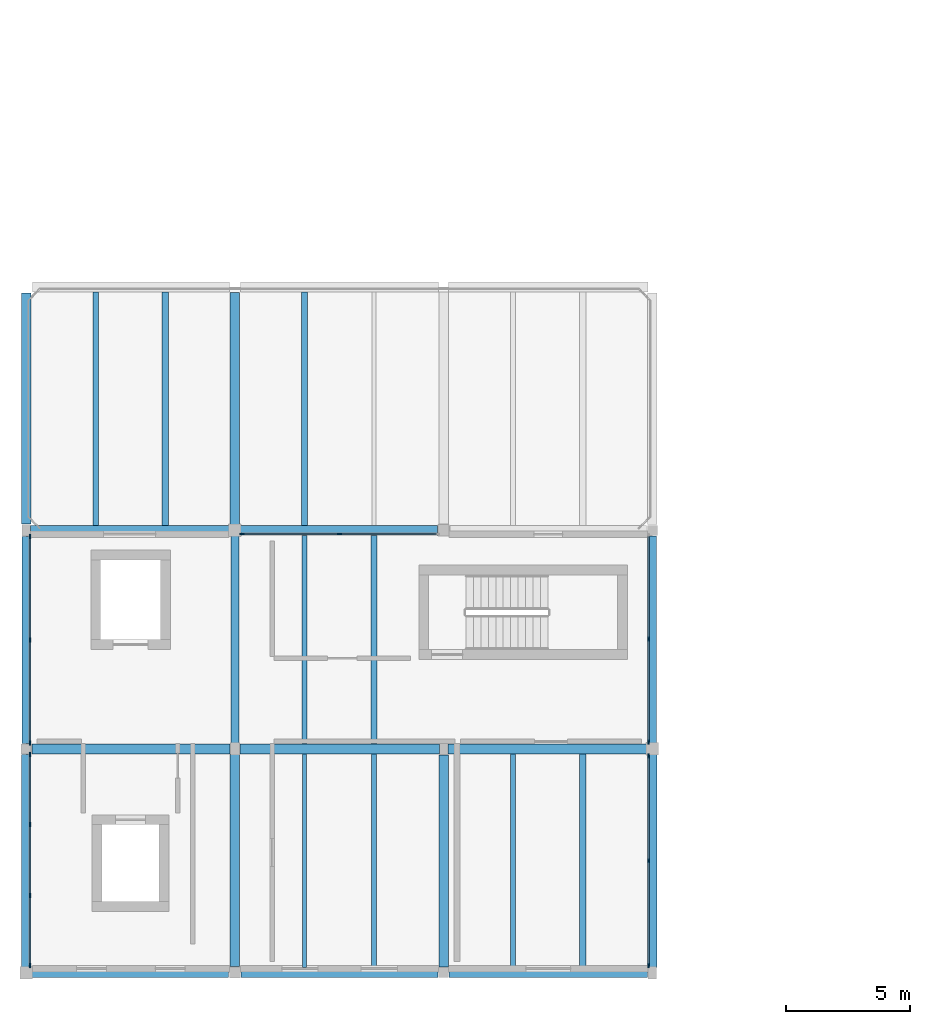
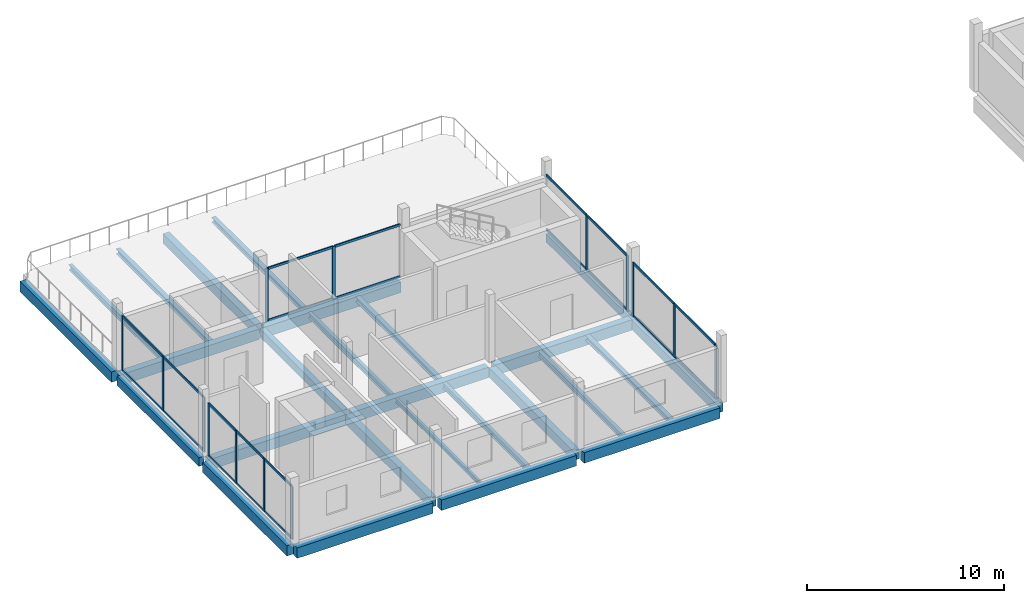
# One storey, part 3 of 23: 36 members, 26 beams, 5 elements without a shape of their own.
"""IFC4 building model written with IfcOpenShell, lengths in metres."""

from ifc_helpers import new_model, si_unit, direction, frame, origin, origin_2d, place, context, subcontext, project, spatial, rectangle, i_section, extrude, material, layer, layer_set, material_profile, profile_set, type_object, element, aggregate, save


model = new_model("IFC4")

# Units and contexts
model_context = context("Model", 3, precision=1e-05, world=origin(), true_north=direction((0.0, 1.0)))
body_context = subcontext(model_context, "Body", "Model", "MODEL_VIEW")
ifc_project = project(units=[si_unit("LENGTHUNIT", "METRE"), si_unit("AREAUNIT", "SQUARE_METRE"), si_unit("VOLUMEUNIT", "CUBIC_METRE"), si_unit("PLANEANGLEUNIT", "RADIAN"), si_unit("MASSUNIT", "GRAM", prefix="KILO")], contexts=[model_context])

# Site, building, storey
site_placement = place(None, origin())
site = spatial("IfcSite", under=ifc_project, at=site_placement, CompositionType="ELEMENT")
building_placement = place(site_placement, origin())
building = spatial("IfcBuilding", under=site, at=building_placement, Name="Birchvale Park Specialist Clinic", CompositionType="ELEMENT")
storey_placement = place(building_placement, frame((0.0, 0.0, 18.0)))
storey = spatial("IfcBuildingStorey", under=building, at=storey_placement, Name="L04", CompositionType="ELEMENT", Elevation=18.0)

# Beams
ifc_material_1 = material(Name="Concrete C40/50", Category="concrete")
ifc_material_profile_1 = material_profile(ifc_material_1, rectangle(XDim=0.3798828125, YDim=0.639892578125, at=origin_2d()), Name="RCB-380x640")
ifc_profile_set_1 = profile_set([ifc_material_profile_1], Name="Concrete C40/50")
beam_type_1 = type_object("IfcBeamType", Name="BM-EXT-BG5", PredefinedType="BEAM", material=ifc_profile_set_1)
beam_1_placement = place(storey_placement, frame((11.199951171875, 17.02490234375, -0.60009765625), z_axis=(0.0, 1.0, 0.0), x_axis=(-1.0, 0.0, 0.0)))
element("IfcBeam", 1, at=beam_1_placement, inside=storey, type_object=beam_type_1, Name="V2 L04 Y girder 13", PredefinedType="BEAM", context=body_context, shape_type="SweptSolid", body=[
    extrude(rectangle(XDim=0.3798828125, YDim=0.639892578125, at=origin_2d()), origin(), (0.0, 0.0, 1.0), 8.550048828125),
])
beam_2_placement = place(storey_placement, frame((11.199951171875, 34.85009765625, -0.6298828125), z_axis=(0.0, 1.0, 0.0), x_axis=(-1.0, 0.0, 0.0)))
element("IfcBeam", 2, at=beam_2_placement, inside=storey, type_object=beam_type_1, Name="V2 L04 Y girder 15", PredefinedType="BEAM", context=body_context, shape_type="SweptSolid", body=[
    extrude(rectangle(XDim=0.3798828125, YDim=0.639892578125, at=origin_2d()), origin(), (0.0, 0.0, 1.0), 9.2998046875),
])
ifc_material_profile_2 = material_profile(ifc_material_1, rectangle(XDim=0.320068359375, YDim=0.5400390625, at=origin_2d()), Name="RCB-320x540")
ifc_profile_set_2 = profile_set([ifc_material_profile_2], Name="Concrete C40/50")
beam_type_2 = type_object("IfcBeamType", Name="BM-EXT-BG7", PredefinedType="BEAM", material=ifc_profile_set_2)
beam_3_placement = place(storey_placement, frame((11.199951171875, 26.02490234375, -0.550048828125), z_axis=(0.0, 1.0, 0.0), x_axis=(-1.0, 0.0, 0.0)))
element("IfcBeam", 3, at=beam_3_placement, inside=storey, type_object=beam_type_2, Name="V2 L04 Y girder 14", PredefinedType="BEAM", context=body_context, shape_type="SweptSolid", body=[
    extrude(rectangle(XDim=0.320068359375, YDim=0.5400390625, at=origin_2d()), origin(), (0.0, 0.0, 1.0), 8.3251953125),
])
ifc_material_profile_3 = material_profile(ifc_material_1, rectangle(XDim=0.39990234375, YDim=0.64990234375, at=origin_2d()), Name="RCB-400x650")
ifc_profile_set_3 = profile_set([ifc_material_profile_3], Name="Concrete C40/50")
beam_type_3 = type_object("IfcBeamType", Name="BM-INT-BG4", PredefinedType="BEAM", material=ifc_profile_set_3)
beam_4_placement = place(storey_placement, frame((11.375, 16.800048828125, -0.60498046875), z_axis=(1.0, 0.0, 0.0), x_axis=(0.0, 1.0, 0.0)))
element("IfcBeam", 4, at=beam_4_placement, inside=storey, type_object=beam_type_3, Name="V2 L04 X girder 1", PredefinedType="BEAM", context=body_context, shape_type="SweptSolid", body=[
    extrude(rectangle(XDim=0.39990234375, YDim=0.64990234375, at=origin_2d()), origin(), (0.0, 0.0, 1.0), 7.97509765625),
])
beam_5_placement = place(storey_placement, frame((19.85009765625, 16.800048828125, -0.60498046875), z_axis=(1.0, 0.0, 0.0), x_axis=(0.0, 1.0, 0.0)))
element("IfcBeam", 5, at=beam_5_placement, inside=storey, type_object=beam_type_3, Name="V2 L04 X girder 2", PredefinedType="BEAM", context=body_context, shape_type="SweptSolid", body=[
    extrude(rectangle(XDim=0.39990234375, YDim=0.64990234375, at=origin_2d()), origin(), (0.0, 0.0, 1.0), 7.9248046875),
])
for number, where, z_axis, x_axis, name in (
    (6, (28.22509765625, 16.800048828125, -0.60498046875), (1.0, 0.0, 0.0), (0.0, 1.0, 0.0), "V2 L04 X girder 3"),
    (7, (11.425048828125, 25.800048828125, -0.60498046875), (1.0, 0.0, 0.0), (0.0, 1.0, 0.0), "V2 L04 X girder 4"),
):
    element("IfcBeam", number, at=place(storey_placement, frame(where, z_axis=z_axis, x_axis=x_axis)), inside=storey, type_object=beam_type_3, Name=name, PredefinedType="BEAM", context=body_context, shape_type="SweptSolid", body=[
        extrude(rectangle(XDim=0.39990234375, YDim=0.64990234375, at=origin_2d()), origin(), (0.0, 0.0, 1.0), 7.974853515625),
    ])
beam_6_placement = place(storey_placement, frame((19.800048828125, 25.800048828125, -0.60498046875), z_axis=(1.0, 0.0, 0.0), x_axis=(0.0, 1.0, 0.0)))
element("IfcBeam", 8, at=beam_6_placement, inside=storey, type_object=beam_type_3, Name="V2 L04 X girder 5", PredefinedType="BEAM", context=body_context, shape_type="SweptSolid", body=[
    extrude(rectangle(XDim=0.39990234375, YDim=0.64990234375, at=origin_2d()), origin(), (0.0, 0.0, 1.0), 8.02490234375),
])
for number, where, z_axis, x_axis, name in (
    (9, (28.175048828125, 25.800048828125, -0.60498046875), (1.0, 0.0, 0.0), (0.0, 1.0, 0.0), "V2 L04 X girder 6"),
    (10, (11.375, 34.60009765625, -0.635009765625), (1.0, 0.0, 0.0), (0.0, 1.0, 0.0), "V2 L04 X girder 7"),
):
    element("IfcBeam", number, at=place(storey_placement, frame(where, z_axis=z_axis, x_axis=x_axis)), inside=storey, type_object=beam_type_3, Name=name, PredefinedType="BEAM", context=body_context, shape_type="SweptSolid", body=[
        extrude(rectangle(XDim=0.39990234375, YDim=0.64990234375, at=origin_2d()), origin(), (0.0, 0.0, 1.0), 8.050048828125),
    ])
beam_7_placement = place(storey_placement, frame((19.77490234375, 34.60009765625, -0.635009765625), z_axis=(1.0, 0.0, 0.0), x_axis=(0.0, 1.0, 0.0)))
element("IfcBeam", 11, at=beam_7_placement, inside=storey, type_object=beam_type_3, Name="V2 L04 X girder 8", PredefinedType="BEAM", context=body_context, shape_type="SweptSolid", body=[
    extrude(rectangle(XDim=0.39990234375, YDim=0.64990234375, at=origin_2d()), origin(), (0.0, 0.0, 1.0), 7.97509765625),
])
ifc_material_profile_4 = material_profile(ifc_material_1, rectangle(XDim=0.3798828125, YDim=0.60009765625, at=origin_2d()), Name="RCB-380x600")
ifc_profile_set_4 = profile_set([ifc_material_profile_4], Name="Concrete C40/50")
beam_type_4 = type_object("IfcBeamType", Name="BM-INT-BG5", PredefinedType="BEAM", material=ifc_profile_set_4)
beam_8_placement = place(storey_placement, frame((19.60009765625, 17.050048828125, -0.580078125), z_axis=(0.0, 1.0, 0.0), x_axis=(-1.0, 0.0, 0.0)))
element("IfcBeam", 12, at=beam_8_placement, inside=storey, type_object=beam_type_4, Name="V2 L04 Y girder 16", PredefinedType="BEAM", context=body_context, shape_type="SweptSolid", body=[
    extrude(rectangle(XDim=0.3798828125, YDim=0.60009765625, at=origin_2d()), origin(), (0.0, 0.0, 1.0), 8.550048828125),
])
beam_9_placement = place(storey_placement, frame((19.60009765625, 34.824951171875, -0.610107421875), z_axis=(0.0, 1.0, 0.0), x_axis=(-1.0, 0.0, 0.0)))
element("IfcBeam", 13, at=beam_9_placement, inside=storey, type_object=beam_type_4, Name="V2 L04 Y girder 18", PredefinedType="BEAM", context=body_context, shape_type="SweptSolid", body=[
    extrude(rectangle(XDim=0.3798828125, YDim=0.60009765625, at=origin_2d()), origin(), (0.0, 0.0, 1.0), 9.35009765625),
])
beam_10_placement = place(storey_placement, frame((28.0, 17.02490234375, -0.580078125), z_axis=(0.0, 1.0, 0.0), x_axis=(-1.0, 0.0, 0.0)))
element("IfcBeam", 14, at=beam_10_placement, inside=storey, type_object=beam_type_4, Name="V2 L04 Y girder 19", PredefinedType="BEAM", context=body_context, shape_type="SweptSolid", body=[
    extrude(rectangle(XDim=0.3798828125, YDim=0.60009765625, at=origin_2d()), origin(), (0.0, 0.0, 1.0), 8.525146484375),
])
beam_11_placement = place(storey_placement, frame((36.39990234375, 17.0, -0.580078125), z_axis=(0.0, 1.0, 0.0), x_axis=(-1.0, 0.0, 0.0)))
element("IfcBeam", 15, at=beam_11_placement, inside=storey, type_object=beam_type_4, Name="V2 L04 Y girder 21", PredefinedType="BEAM", context=body_context, shape_type="SweptSolid", body=[
    extrude(rectangle(XDim=0.3798828125, YDim=0.60009765625, at=origin_2d()), origin(), (0.0, 0.0, 1.0), 8.574951171875),
])
ifc_material_profile_5 = material_profile(ifc_material_1, rectangle(XDim=0.320068359375, YDim=0.5, at=origin_2d()), Name="RCB-320x500")
ifc_profile_set_5 = profile_set([ifc_material_profile_5], Name="Concrete C40/50")
beam_type_5 = type_object("IfcBeamType", Name="BM-INT-BG7", PredefinedType="BEAM", material=ifc_profile_set_5)
beam_12_placement = place(storey_placement, frame((19.60009765625, 26.0, -0.530029296875), z_axis=(0.0, 1.0, 0.0), x_axis=(-1.0, 0.0, 0.0)))
element("IfcBeam", 16, at=beam_12_placement, inside=storey, type_object=beam_type_5, Name="V2 L04 Y girder 17", PredefinedType="BEAM", context=body_context, shape_type="SweptSolid", body=[
    extrude(rectangle(XDim=0.320068359375, YDim=0.5, at=origin_2d()), origin(), (0.0, 0.0, 1.0), 8.375),
])
beam_13_placement = place(storey_placement, frame((36.39990234375, 26.02490234375, -0.530029296875), z_axis=(0.0, 1.0, 0.0), x_axis=(-1.0, 0.0, 0.0)))
element("IfcBeam", 17, at=beam_13_placement, inside=storey, type_object=beam_type_5, Name="V2 L04 Y girder 22", PredefinedType="BEAM", context=body_context, shape_type="SweptSolid", body=[
    extrude(rectangle(XDim=0.320068359375, YDim=0.5, at=origin_2d()), origin(), (0.0, 0.0, 1.0), 8.35009765625),
])

# Curtain wall, members
ifc_material_2 = material(Name="Thermally broken anodised aluminium", Category="aluminium")
ifc_layer = layer(ifc_material_2, 0.195068359375)
ifc_layer_set = layer_set([ifc_layer], Name="Thermally broken anodised aluminium")
curtain_wall_type = type_object("IfcCurtainWallType", Name="CW-U2", PredefinedType="USERDEFINED", material=ifc_layer_set)
curtain_wall_1_placement = place(storey_placement, origin())
curtain_wall_1 = element("IfcCurtainWall", 18, at=curtain_wall_1_placement, inside=storey, type_object=curtain_wall_type, Name="V2 L04 glazed curtain wall 134", ObjectType="UNITISED", PredefinedType="USERDEFINED")
ifc_material_profile_6 = material_profile(ifc_material_2, rectangle(XDim=0.06494140625, YDim=0.179931640625, at=origin_2d()), Name="CWM-65x180")
ifc_profile_set_6 = profile_set([ifc_material_profile_6], Name="Thermally broken anodised aluminium")
member_type_1 = type_object("IfcMemberType", Name="CWM2", PredefinedType="MULLION", material=ifc_profile_set_6)
member_1_placement = place(storey_placement, frame((36.2451171875, 17.08251953125, 0.0), z_axis=(0.0, 0.0, 1.0), x_axis=(-1.0, 0.0, 0.0)))
member_1 = element("IfcMember", 19, at=member_1_placement, type_object=member_type_1, Name="CW mullion 1", PredefinedType="MULLION", context=body_context, shape_type="SweptSolid", body=[
    extrude(rectangle(XDim=0.06494140625, YDim=0.179931640625, at=origin_2d()), origin(), (0.0, 0.0, 1.0), 3.324951171875),
])
member_2_placement = place(storey_placement, frame((36.2451171875, 21.300048828125, 0.0), z_axis=(0.0, 0.0, 1.0), x_axis=(-1.0, 0.0, 0.0)))
member_2 = element("IfcMember", 20, at=member_2_placement, type_object=member_type_1, Name="CW mullion 2", PredefinedType="MULLION", context=body_context, shape_type="SweptSolid", body=[
    extrude(rectangle(XDim=0.06494140625, YDim=0.179931640625, at=origin_2d()), origin(), (0.0, 0.0, 1.0), 3.324951171875),
])
member_3_placement = place(storey_placement, frame((36.2451171875, 25.517578125, 0.0), z_axis=(0.0, 0.0, 1.0), x_axis=(-1.0, 0.0, 0.0)))
member_3 = element("IfcMember", 21, at=member_3_placement, type_object=member_type_1, Name="CW mullion 3", PredefinedType="MULLION", context=body_context, shape_type="SweptSolid", body=[
    extrude(rectangle(XDim=0.06494140625, YDim=0.179931640625, at=origin_2d()), origin(), (0.0, 0.0, 1.0), 3.324951171875),
])

curtain_wall_2_placement = place(storey_placement, origin())
curtain_wall_2 = element("IfcCurtainWall", 22, at=curtain_wall_2_placement, inside=storey, type_object=curtain_wall_type, Name="V2 L04 glazed curtain wall 135", ObjectType="UNITISED", PredefinedType="USERDEFINED")
member_4_placement = place(storey_placement, frame((36.2451171875, 26.08251953125, 0.0), z_axis=(0.0, 0.0, 1.0), x_axis=(-1.0, 0.0, 0.0)))
member_4 = element("IfcMember", 23, at=member_4_placement, type_object=member_type_1, Name="CW mullion 1", PredefinedType="MULLION", context=body_context, shape_type="SweptSolid", body=[
    extrude(rectangle(XDim=0.06494140625, YDim=0.179931640625, at=origin_2d()), origin(), (0.0, 0.0, 1.0), 3.425048828125),
])
member_5_placement = place(storey_placement, frame((36.2451171875, 30.22509765625, 0.0), z_axis=(0.0, 0.0, 1.0), x_axis=(-1.0, 0.0, 0.0)))
member_5 = element("IfcMember", 24, at=member_5_placement, type_object=member_type_1, Name="CW mullion 2", PredefinedType="MULLION", context=body_context, shape_type="SweptSolid", body=[
    extrude(rectangle(XDim=0.06494140625, YDim=0.179931640625, at=origin_2d()), origin(), (0.0, 0.0, 1.0), 3.425048828125),
])

curtain_wall_3_placement = place(storey_placement, origin())
curtain_wall_3 = element("IfcCurtainWall", 25, at=curtain_wall_3_placement, inside=storey, type_object=curtain_wall_type, Name="V2 L04 glazed curtain wall 136", ObjectType="UNITISED", PredefinedType="USERDEFINED")
member_6_placement = place(storey_placement, frame((23.8125, 34.445068359375, 0.0), z_axis=(0.0, 0.0, 1.0), x_axis=(0.0, -1.0, 0.0)))
member_6 = element("IfcMember", 26, at=member_6_placement, type_object=member_type_1, Name="CW mullion 2", PredefinedType="MULLION", context=body_context, shape_type="SweptSolid", body=[
    extrude(rectangle(XDim=0.06494140625, YDim=0.179931640625, at=origin_2d()), origin(), (0.0, 0.0, 1.0), 3.27490234375),
])
member_7_placement = place(storey_placement, frame((19.882568359375, 34.445068359375, 0.0), z_axis=(0.0, 0.0, 1.0), x_axis=(0.0, -1.0, 0.0)))
member_7 = element("IfcMember", 27, at=member_7_placement, type_object=member_type_1, Name="CW mullion 3", PredefinedType="MULLION", context=body_context, shape_type="SweptSolid", body=[
    extrude(rectangle(XDim=0.06494140625, YDim=0.179931640625, at=origin_2d()), origin(), (0.0, 0.0, 1.0), 3.27490234375),
])

curtain_wall_4_placement = place(storey_placement, origin())
curtain_wall_4 = element("IfcCurtainWall", 28, at=curtain_wall_4_placement, inside=storey, type_object=curtain_wall_type, Name="V2 L04 glazed curtain wall 137", ObjectType="UNITISED", PredefinedType="USERDEFINED")
member_8_placement = place(storey_placement, frame((11.35498046875, 34.342529296875, 0.0), z_axis=(0.0, 0.0, 1.0), x_axis=(1.0, 0.0, 0.0)))
member_8 = element("IfcMember", 29, at=member_8_placement, type_object=member_type_1, Name="CW mullion 1", PredefinedType="MULLION", context=body_context, shape_type="SweptSolid", body=[
    extrude(rectangle(XDim=0.06494140625, YDim=0.179931640625, at=origin_2d()), origin(), (0.0, 0.0, 1.0), 3.385009765625),
])
member_9_placement = place(storey_placement, frame((11.35498046875, 30.1875, 0.0), z_axis=(0.0, 0.0, 1.0), x_axis=(1.0, 0.0, 0.0)))
member_9 = element("IfcMember", 30, at=member_9_placement, type_object=member_type_1, Name="CW mullion 2", PredefinedType="MULLION", context=body_context, shape_type="SweptSolid", body=[
    extrude(rectangle(XDim=0.06494140625, YDim=0.179931640625, at=origin_2d()), origin(), (0.0, 0.0, 1.0), 3.385009765625),
])
member_10_placement = place(storey_placement, frame((11.35498046875, 26.032470703125, 0.0), z_axis=(0.0, 0.0, 1.0), x_axis=(1.0, 0.0, 0.0)))
member_10 = element("IfcMember", 31, at=member_10_placement, type_object=member_type_1, Name="CW mullion 3", PredefinedType="MULLION", context=body_context, shape_type="SweptSolid", body=[
    extrude(rectangle(XDim=0.06494140625, YDim=0.179931640625, at=origin_2d()), origin(), (0.0, 0.0, 1.0), 3.385009765625),
])

curtain_wall_5_placement = place(storey_placement, origin())
curtain_wall_5 = element("IfcCurtainWall", 32, at=curtain_wall_5_placement, inside=storey, type_object=curtain_wall_type, Name="V2 L04 glazed curtain wall 138", ObjectType="UNITISED", PredefinedType="USERDEFINED")
member_11_placement = place(storey_placement, frame((11.35498046875, 25.5673828125, 0.0), z_axis=(0.0, 0.0, 1.0), x_axis=(1.0, 0.0, 0.0)))
member_11 = element("IfcMember", 33, at=member_11_placement, type_object=member_type_1, Name="CW mullion 1", PredefinedType="MULLION", context=body_context, shape_type="SweptSolid", body=[
    extrude(rectangle(XDim=0.06494140625, YDim=0.179931640625, at=origin_2d()), origin(), (0.0, 0.0, 1.0), 3.284912109375),
])
member_12_placement = place(storey_placement, frame((11.35498046875, 22.75, 0.0), z_axis=(0.0, 0.0, 1.0), x_axis=(1.0, 0.0, 0.0)))
member_12 = element("IfcMember", 34, at=member_12_placement, type_object=member_type_1, Name="CW mullion 2", PredefinedType="MULLION", context=body_context, shape_type="SweptSolid", body=[
    extrude(rectangle(XDim=0.06494140625, YDim=0.179931640625, at=origin_2d()), origin(), (0.0, 0.0, 1.0), 3.284912109375),
])
member_13_placement = place(storey_placement, frame((11.35498046875, 19.89990234375, 0.0), z_axis=(0.0, 0.0, 1.0), x_axis=(1.0, 0.0, 0.0)))
member_13 = element("IfcMember", 35, at=member_13_placement, type_object=member_type_1, Name="CW mullion 3", PredefinedType="MULLION", context=body_context, shape_type="SweptSolid", body=[
    extrude(rectangle(XDim=0.06494140625, YDim=0.179931640625, at=origin_2d()), origin(), (0.0, 0.0, 1.0), 3.284912109375),
])
member_14_placement = place(storey_placement, frame((11.35498046875, 17.08251953125, 0.0), z_axis=(0.0, 0.0, 1.0), x_axis=(1.0, 0.0, 0.0)))
member_14 = element("IfcMember", 36, at=member_14_placement, type_object=member_type_1, Name="CW mullion 4", PredefinedType="MULLION", context=body_context, shape_type="SweptSolid", body=[
    extrude(rectangle(XDim=0.06494140625, YDim=0.179931640625, at=origin_2d()), origin(), (0.0, 0.0, 1.0), 3.284912109375),
])

# Member
ifc_material_profile_7 = material_profile(ifc_material_2, rectangle(XDim=0.06494140625, YDim=0.139892578125, at=origin_2d()), Name="CWT-65x140")
ifc_profile_set_7 = profile_set([ifc_material_profile_7], Name="Thermally broken anodised aluminium")
member_type_2 = type_object("IfcMemberType", Name="CWT2", PredefinedType="USERDEFINED", material=ifc_profile_set_7)
member_15_placement = place(storey_placement, frame((36.2451171875, 17.114990234375, 0.032470703125), z_axis=(0.0, 1.0, 0.0), x_axis=(-1.0, 0.0, 0.0)))
member_15 = element("IfcMember", 37, at=member_15_placement, type_object=member_type_2, Name="CW transom 1.1", ObjectType="TRANSOM", PredefinedType="USERDEFINED", context=body_context, shape_type="SweptSolid", body=[
    extrude(rectangle(XDim=0.06494140625, YDim=0.139892578125, at=origin_2d()), origin(), (0.0, 0.0, 1.0), 4.152587890625),
])

member_16_placement = place(storey_placement, frame((36.2451171875, 17.114990234375, 3.29248046875), z_axis=(0.0, 1.0, 0.0), x_axis=(-1.0, 0.0, 0.0)))
member_16 = element("IfcMember", 38, at=member_16_placement, type_object=member_type_2, Name="CW transom 1.2", ObjectType="TRANSOM", PredefinedType="USERDEFINED", context=body_context, shape_type="SweptSolid", body=[
    extrude(rectangle(XDim=0.06494140625, YDim=0.139892578125, at=origin_2d()), origin(), (0.0, 0.0, 1.0), 4.152587890625),
])

member_17_placement = place(storey_placement, frame((36.2451171875, 21.33251953125, 0.032470703125), z_axis=(0.0, 1.0, 0.0), x_axis=(-1.0, 0.0, 0.0)))
member_17 = element("IfcMember", 39, at=member_17_placement, type_object=member_type_2, Name="CW transom 2.1", ObjectType="TRANSOM", PredefinedType="USERDEFINED", context=body_context, shape_type="SweptSolid", body=[
    extrude(rectangle(XDim=0.06494140625, YDim=0.139892578125, at=origin_2d()), origin(), (0.0, 0.0, 1.0), 4.152587890625),
])

member_18_placement = place(storey_placement, frame((36.2451171875, 21.33251953125, 3.29248046875), z_axis=(0.0, 1.0, 0.0), x_axis=(-1.0, 0.0, 0.0)))
member_18 = element("IfcMember", 40, at=member_18_placement, type_object=member_type_2, Name="CW transom 2.2", ObjectType="TRANSOM", PredefinedType="USERDEFINED", context=body_context, shape_type="SweptSolid", body=[
    extrude(rectangle(XDim=0.06494140625, YDim=0.139892578125, at=origin_2d()), origin(), (0.0, 0.0, 1.0), 4.152587890625),
])

aggregate(curtain_wall_1, [member_1, member_2, member_3, member_15, member_16, member_17, member_18])

member_19_placement = place(storey_placement, frame((36.2451171875, 26.114990234375, 0.032470703125), z_axis=(0.0, 1.0, 0.0), x_axis=(-1.0, 0.0, 0.0)))
member_19 = element("IfcMember", 41, at=member_19_placement, type_object=member_type_2, Name="CW transom 1.1", ObjectType="TRANSOM", PredefinedType="USERDEFINED", context=body_context, shape_type="SweptSolid", body=[
    extrude(rectangle(XDim=0.06494140625, YDim=0.139892578125, at=origin_2d()), origin(), (0.0, 0.0, 1.0), 4.077392578125),
])

member_20_placement = place(storey_placement, frame((36.2451171875, 26.114990234375, 3.392578125), z_axis=(0.0, 1.0, 0.0), x_axis=(-1.0, 0.0, 0.0)))
member_20 = element("IfcMember", 42, at=member_20_placement, type_object=member_type_2, Name="CW transom 1.2", ObjectType="TRANSOM", PredefinedType="USERDEFINED", context=body_context, shape_type="SweptSolid", body=[
    extrude(rectangle(XDim=0.06494140625, YDim=0.139892578125, at=origin_2d()), origin(), (0.0, 0.0, 1.0), 4.077392578125),
])

member_21_placement = place(storey_placement, frame((36.2451171875, 30.257568359375, 0.032470703125), z_axis=(0.0, 1.0, 0.0), x_axis=(-1.0, 0.0, 0.0)))
member_21 = element("IfcMember", 43, at=member_21_placement, type_object=member_type_2, Name="CW transom 2.1", ObjectType="TRANSOM", PredefinedType="USERDEFINED", context=body_context, shape_type="SweptSolid", body=[
    extrude(rectangle(XDim=0.06494140625, YDim=0.139892578125, at=origin_2d()), origin(), (0.0, 0.0, 1.0), 4.077392578125),
])

member_22_placement = place(storey_placement, frame((36.2451171875, 30.257568359375, 3.392578125), z_axis=(0.0, 1.0, 0.0), x_axis=(-1.0, 0.0, 0.0)))
member_22 = element("IfcMember", 44, at=member_22_placement, type_object=member_type_2, Name="CW transom 2.2", ObjectType="TRANSOM", PredefinedType="USERDEFINED", context=body_context, shape_type="SweptSolid", body=[
    extrude(rectangle(XDim=0.06494140625, YDim=0.139892578125, at=origin_2d()), origin(), (0.0, 0.0, 1.0), 4.077392578125),
])

aggregate(curtain_wall_2, [member_4, member_5, member_19, member_20, member_21, member_22])

member_23_placement = place(storey_placement, frame((27.7099609375, 34.445068359375, 0.032470703125), z_axis=(-1.0, 0.0, 0.0), x_axis=(0.0, -1.0, 0.0)))
member_23 = element("IfcMember", 45, at=member_23_placement, type_object=member_type_2, Name="CW transom 1.1", ObjectType="TRANSOM", PredefinedType="USERDEFINED", context=body_context, shape_type="SweptSolid", body=[
    extrude(rectangle(XDim=0.06494140625, YDim=0.139892578125, at=origin_2d()), origin(), (0.0, 0.0, 1.0), 3.864990234375),
])

member_24_placement = place(storey_placement, frame((27.7099609375, 34.445068359375, 3.242431640625), z_axis=(-1.0, 0.0, 0.0), x_axis=(0.0, -1.0, 0.0)))
member_24 = element("IfcMember", 46, at=member_24_placement, type_object=member_type_2, Name="CW transom 1.2", ObjectType="TRANSOM", PredefinedType="USERDEFINED", context=body_context, shape_type="SweptSolid", body=[
    extrude(rectangle(XDim=0.06494140625, YDim=0.139892578125, at=origin_2d()), origin(), (0.0, 0.0, 1.0), 3.864990234375),
])

member_25_placement = place(storey_placement, frame((23.780029296875, 34.445068359375, 0.032470703125), z_axis=(-1.0, 0.0, 0.0), x_axis=(0.0, -1.0, 0.0)))
member_25 = element("IfcMember", 47, at=member_25_placement, type_object=member_type_2, Name="CW transom 2.1", ObjectType="TRANSOM", PredefinedType="USERDEFINED", context=body_context, shape_type="SweptSolid", body=[
    extrude(rectangle(XDim=0.06494140625, YDim=0.139892578125, at=origin_2d()), origin(), (0.0, 0.0, 1.0), 3.864990234375),
])

member_26_placement = place(storey_placement, frame((23.780029296875, 34.445068359375, 3.242431640625), z_axis=(-1.0, 0.0, 0.0), x_axis=(0.0, -1.0, 0.0)))
member_26 = element("IfcMember", 48, at=member_26_placement, type_object=member_type_2, Name="CW transom 2.2", ObjectType="TRANSOM", PredefinedType="USERDEFINED", context=body_context, shape_type="SweptSolid", body=[
    extrude(rectangle(XDim=0.06494140625, YDim=0.139892578125, at=origin_2d()), origin(), (0.0, 0.0, 1.0), 3.864990234375),
])

aggregate(curtain_wall_3, [member_6, member_7, member_23, member_24, member_25, member_26])

member_27_placement = place(storey_placement, frame((11.35498046875, 34.31005859375, 0.032470703125), z_axis=(0.0, -1.0, 0.0), x_axis=(1.0, 0.0, 0.0)))
member_27 = element("IfcMember", 49, at=member_27_placement, type_object=member_type_2, Name="CW transom 1.1", ObjectType="TRANSOM", PredefinedType="USERDEFINED", context=body_context, shape_type="SweptSolid", body=[
    extrude(rectangle(XDim=0.06494140625, YDim=0.139892578125, at=origin_2d()), origin(), (0.0, 0.0, 1.0), 4.090087890625),
])

member_28_placement = place(storey_placement, frame((11.35498046875, 34.31005859375, 3.3525390625), z_axis=(0.0, -1.0, 0.0), x_axis=(1.0, 0.0, 0.0)))
member_28 = element("IfcMember", 50, at=member_28_placement, type_object=member_type_2, Name="CW transom 1.2", ObjectType="TRANSOM", PredefinedType="USERDEFINED", context=body_context, shape_type="SweptSolid", body=[
    extrude(rectangle(XDim=0.06494140625, YDim=0.139892578125, at=origin_2d()), origin(), (0.0, 0.0, 1.0), 4.090087890625),
])

member_29_placement = place(storey_placement, frame((11.35498046875, 30.155029296875, 0.032470703125), z_axis=(0.0, -1.0, 0.0), x_axis=(1.0, 0.0, 0.0)))
member_29 = element("IfcMember", 51, at=member_29_placement, type_object=member_type_2, Name="CW transom 2.1", ObjectType="TRANSOM", PredefinedType="USERDEFINED", context=body_context, shape_type="SweptSolid", body=[
    extrude(rectangle(XDim=0.06494140625, YDim=0.139892578125, at=origin_2d()), origin(), (0.0, 0.0, 1.0), 4.090087890625),
])

member_30_placement = place(storey_placement, frame((11.35498046875, 30.155029296875, 3.3525390625), z_axis=(0.0, -1.0, 0.0), x_axis=(1.0, 0.0, 0.0)))
member_30 = element("IfcMember", 52, at=member_30_placement, type_object=member_type_2, Name="CW transom 2.2", ObjectType="TRANSOM", PredefinedType="USERDEFINED", context=body_context, shape_type="SweptSolid", body=[
    extrude(rectangle(XDim=0.06494140625, YDim=0.139892578125, at=origin_2d()), origin(), (0.0, 0.0, 1.0), 4.090087890625),
])

aggregate(curtain_wall_4, [member_8, member_9, member_10, member_27, member_28, member_29, member_30])

member_31_placement = place(storey_placement, frame((11.35498046875, 25.534912109375, 0.032470703125), z_axis=(0.0, -1.0, 0.0), x_axis=(1.0, 0.0, 0.0)))
member_31 = element("IfcMember", 53, at=member_31_placement, type_object=member_type_2, Name="CW transom 1.1", ObjectType="TRANSOM", PredefinedType="USERDEFINED", context=body_context, shape_type="SweptSolid", body=[
    extrude(rectangle(XDim=0.06494140625, YDim=0.139892578125, at=origin_2d()), origin(), (0.0, 0.0, 1.0), 2.75244140625),
])

member_32_placement = place(storey_placement, frame((11.35498046875, 25.534912109375, 3.25244140625), z_axis=(0.0, -1.0, 0.0), x_axis=(1.0, 0.0, 0.0)))
member_32 = element("IfcMember", 54, at=member_32_placement, type_object=member_type_2, Name="CW transom 1.2", ObjectType="TRANSOM", PredefinedType="USERDEFINED", context=body_context, shape_type="SweptSolid", body=[
    extrude(rectangle(XDim=0.06494140625, YDim=0.139892578125, at=origin_2d()), origin(), (0.0, 0.0, 1.0), 2.75244140625),
])

member_33_placement = place(storey_placement, frame((11.35498046875, 22.717529296875, 0.032470703125), z_axis=(0.0, -1.0, 0.0), x_axis=(1.0, 0.0, 0.0)))
member_33 = element("IfcMember", 55, at=member_33_placement, type_object=member_type_2, Name="CW transom 2.1", ObjectType="TRANSOM", PredefinedType="USERDEFINED", context=body_context, shape_type="SweptSolid", body=[
    extrude(rectangle(XDim=0.06494140625, YDim=0.139892578125, at=origin_2d()), origin(), (0.0, 0.0, 1.0), 2.784912109375),
])

member_34_placement = place(storey_placement, frame((11.35498046875, 22.717529296875, 3.25244140625), z_axis=(0.0, -1.0, 0.0), x_axis=(1.0, 0.0, 0.0)))
member_34 = element("IfcMember", 56, at=member_34_placement, type_object=member_type_2, Name="CW transom 2.2", ObjectType="TRANSOM", PredefinedType="USERDEFINED", context=body_context, shape_type="SweptSolid", body=[
    extrude(rectangle(XDim=0.06494140625, YDim=0.139892578125, at=origin_2d()), origin(), (0.0, 0.0, 1.0), 2.784912109375),
])

member_35_placement = place(storey_placement, frame((11.35498046875, 19.867431640625, 0.032470703125), z_axis=(0.0, -1.0, 0.0), x_axis=(1.0, 0.0, 0.0)))
member_35 = element("IfcMember", 57, at=member_35_placement, type_object=member_type_2, Name="CW transom 3.1", ObjectType="TRANSOM", PredefinedType="USERDEFINED", context=body_context, shape_type="SweptSolid", body=[
    extrude(rectangle(XDim=0.06494140625, YDim=0.139892578125, at=origin_2d()), origin(), (0.0, 0.0, 1.0), 2.75244140625),
])

member_36_placement = place(storey_placement, frame((11.35498046875, 19.867431640625, 3.25244140625), z_axis=(0.0, -1.0, 0.0), x_axis=(1.0, 0.0, 0.0)))
member_36 = element("IfcMember", 58, at=member_36_placement, type_object=member_type_2, Name="CW transom 3.2", ObjectType="TRANSOM", PredefinedType="USERDEFINED", context=body_context, shape_type="SweptSolid", body=[
    extrude(rectangle(XDim=0.06494140625, YDim=0.139892578125, at=origin_2d()), origin(), (0.0, 0.0, 1.0), 2.75244140625),
])

aggregate(curtain_wall_5, [member_11, member_12, member_13, member_14, member_31, member_32, member_33, member_34, member_35, member_36])

# Beams
ifc_material_3 = material(Name="Steel ASTM A992 Grade 50", Category="steel")
ifc_material_profile_8 = material_profile(ifc_material_3, i_section(OverallWidth=0.2041015625, OverallDepth=0.35107421875, WebThickness=0.008544921875, FlangeThickness=0.01513671875, at=origin_2d()), Name="W14X48")
ifc_profile_set_8 = profile_set([ifc_material_profile_8], Name="Steel ASTM A992 Grade 50")
beam_type_6 = type_object("IfcBeamType", Name="STL-INT-SJ1", PredefinedType="JOIST", material=ifc_profile_set_8)
beam_14_placement = place(storey_placement, frame((14.0, 34.800048828125, -0.485595703125), z_axis=(0.0, 1.0, 0.0), x_axis=(-1.0, 0.0, 0.0)))
element("IfcBeam", 59, at=beam_14_placement, inside=storey, type_object=beam_type_6, Name="V2 L04 secondary floor joist 1", PredefinedType="JOIST", context=body_context, shape_type="SweptSolid", body=[
    extrude(i_section(OverallWidth=0.2041015625, OverallDepth=0.35107421875, WebThickness=0.008544921875, FlangeThickness=0.01513671875, at=origin_2d()), origin(), (0.0, 0.0, 1.0), 9.39990234375),
])
beam_15_placement = place(storey_placement, frame((25.199951171875, 17.0, -0.45556640625), z_axis=(0.0, 1.0, 0.0), x_axis=(-1.0, 0.0, 0.0)))
element("IfcBeam", 60, at=beam_15_placement, inside=storey, type_object=beam_type_6, Name="V2 L04 secondary floor joist 4", PredefinedType="JOIST", context=body_context, shape_type="SweptSolid", body=[
    extrude(i_section(OverallWidth=0.2041015625, OverallDepth=0.35107421875, WebThickness=0.008544921875, FlangeThickness=0.01513671875, at=origin_2d()), origin(), (0.0, 0.0, 1.0), 8.60009765625),
])
beam_16_placement = place(storey_placement, frame((22.39990234375, 26.0, -0.45556640625), z_axis=(0.0, 1.0, 0.0), x_axis=(-1.0, 0.0, 0.0)))
element("IfcBeam", 61, at=beam_16_placement, inside=storey, type_object=beam_type_6, Name="V2 L04 secondary floor joist 5", PredefinedType="JOIST", context=body_context, shape_type="SweptSolid", body=[
    extrude(i_section(OverallWidth=0.2041015625, OverallDepth=0.35107421875, WebThickness=0.008544921875, FlangeThickness=0.01513671875, at=origin_2d()), origin(), (0.0, 0.0, 1.0), 8.39990234375),
])
beam_17_placement = place(storey_placement, frame((30.800048828125, 17.0, -0.45556640625), z_axis=(0.0, 1.0, 0.0), x_axis=(-1.0, 0.0, 0.0)))
element("IfcBeam", 62, at=beam_17_placement, inside=storey, type_object=beam_type_6, Name="V2 L04 secondary floor joist 9", PredefinedType="JOIST", context=body_context, shape_type="SweptSolid", body=[
    extrude(i_section(OverallWidth=0.2041015625, OverallDepth=0.35107421875, WebThickness=0.008544921875, FlangeThickness=0.01513671875, at=origin_2d()), origin(), (0.0, 0.0, 1.0), 8.60009765625),
])
ifc_material_profile_9 = material_profile(ifc_material_3, i_section(OverallWidth=0.25390625, OverallDepth=0.305908203125, WebThickness=0.0087890625, FlangeThickness=0.0146484375, at=origin_2d()), Name="W12X53")
ifc_profile_set_9 = profile_set([ifc_material_profile_9], Name="Steel ASTM A992 Grade 50")
beam_type_7 = type_object("IfcBeamType", Name="STL-INT-SJ2", PredefinedType="JOIST", material=ifc_profile_set_9)
beam_18_placement = place(storey_placement, frame((16.800048828125, 34.800048828125, -0.462890625), z_axis=(0.0, 1.0, 0.0), x_axis=(-1.0, 0.0, 0.0)))
element("IfcBeam", 63, at=beam_18_placement, inside=storey, type_object=beam_type_7, Name="V2 L04 secondary floor joist 2", PredefinedType="JOIST", context=body_context, shape_type="SweptSolid", body=[
    extrude(i_section(OverallWidth=0.25390625, OverallDepth=0.305908203125, WebThickness=0.0087890625, FlangeThickness=0.0146484375, at=origin_2d()), origin(), (0.0, 0.0, 1.0), 9.39990234375),
])
beam_19_placement = place(storey_placement, frame((25.199951171875, 26.0, -0.43310546875), z_axis=(0.0, 1.0, 0.0), x_axis=(-1.0, 0.0, 0.0)))
element("IfcBeam", 64, at=beam_19_placement, inside=storey, type_object=beam_type_7, Name="V2 L04 secondary floor joist 6", PredefinedType="JOIST", context=body_context, shape_type="SweptSolid", body=[
    extrude(i_section(OverallWidth=0.25390625, OverallDepth=0.305908203125, WebThickness=0.0087890625, FlangeThickness=0.0146484375, at=origin_2d()), origin(), (0.0, 0.0, 1.0), 8.39990234375),
])
beam_20_placement = place(storey_placement, frame((22.39990234375, 34.800048828125, -0.462890625), z_axis=(0.0, 1.0, 0.0), x_axis=(-1.0, 0.0, 0.0)))
element("IfcBeam", 65, at=beam_20_placement, inside=storey, type_object=beam_type_7, Name="V2 L04 secondary floor joist 7", PredefinedType="JOIST", context=body_context, shape_type="SweptSolid", body=[
    extrude(i_section(OverallWidth=0.25390625, OverallDepth=0.305908203125, WebThickness=0.0087890625, FlangeThickness=0.0146484375, at=origin_2d()), origin(), (0.0, 0.0, 1.0), 9.39990234375),
])
beam_21_placement = place(storey_placement, frame((33.60009765625, 17.0, -0.43310546875), z_axis=(0.0, 1.0, 0.0), x_axis=(-1.0, 0.0, 0.0)))
element("IfcBeam", 66, at=beam_21_placement, inside=storey, type_object=beam_type_7, Name="V2 L04 secondary floor joist 10", PredefinedType="JOIST", context=body_context, shape_type="SweptSolid", body=[
    extrude(i_section(OverallWidth=0.25390625, OverallDepth=0.305908203125, WebThickness=0.0087890625, FlangeThickness=0.0146484375, at=origin_2d()), origin(), (0.0, 0.0, 1.0), 8.60009765625),
])
ifc_material_profile_10 = material_profile(ifc_material_3, i_section(OverallWidth=0.14697265625, OverallDepth=0.261962890625, WebThickness=0.006591796875, FlangeThickness=0.01123046875, at=origin_2d()), Name="W10X26")
ifc_profile_set_10 = profile_set([ifc_material_profile_10], Name="Steel ASTM A992 Grade 50")
beam_type_8 = type_object("IfcBeamType", Name="STL-INT-SJ5", PredefinedType="JOIST", material=ifc_profile_set_10)
beam_22_placement = place(storey_placement, frame((22.39990234375, 17.0, -0.410888671875), z_axis=(0.0, 1.0, 0.0), x_axis=(-1.0, 0.0, 0.0)))
element("IfcBeam", 67, at=beam_22_placement, inside=storey, type_object=beam_type_8, Name="V2 L04 secondary floor joist 3", PredefinedType="JOIST", context=body_context, shape_type="SweptSolid", body=[
    extrude(i_section(OverallWidth=0.14697265625, OverallDepth=0.261962890625, WebThickness=0.006591796875, FlangeThickness=0.01123046875, at=origin_2d()), origin(), (0.0, 0.0, 1.0), 8.60009765625),
])

save(model, "model.ifc")
